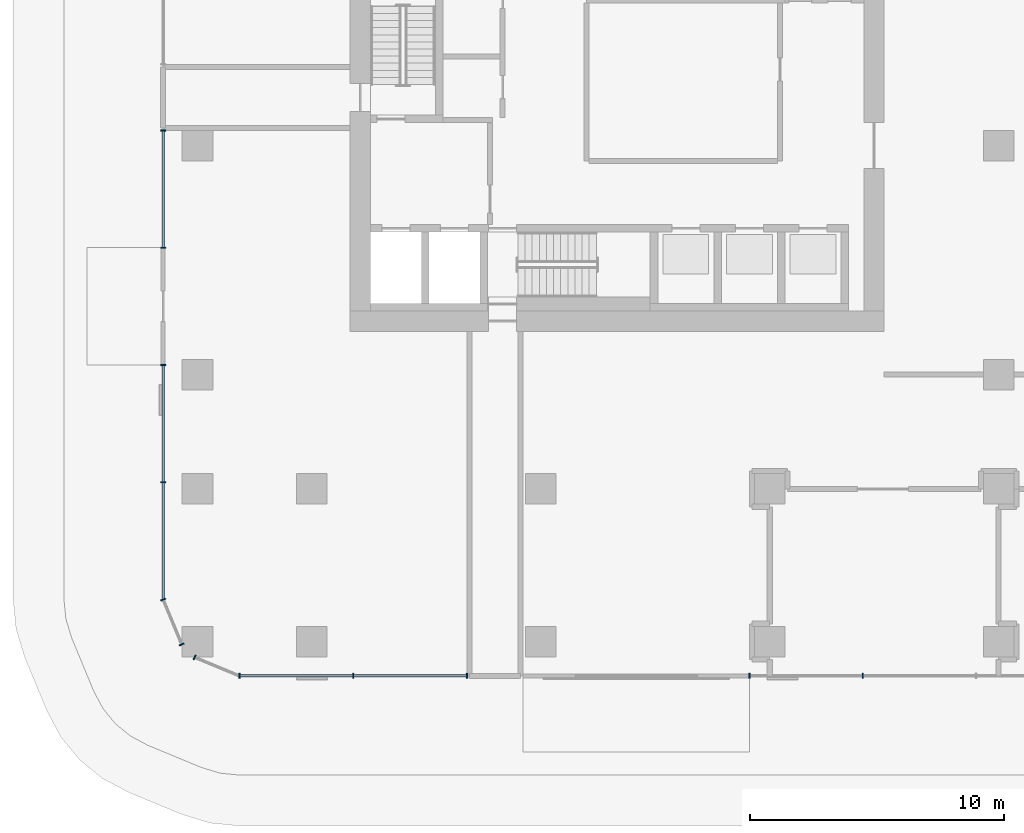
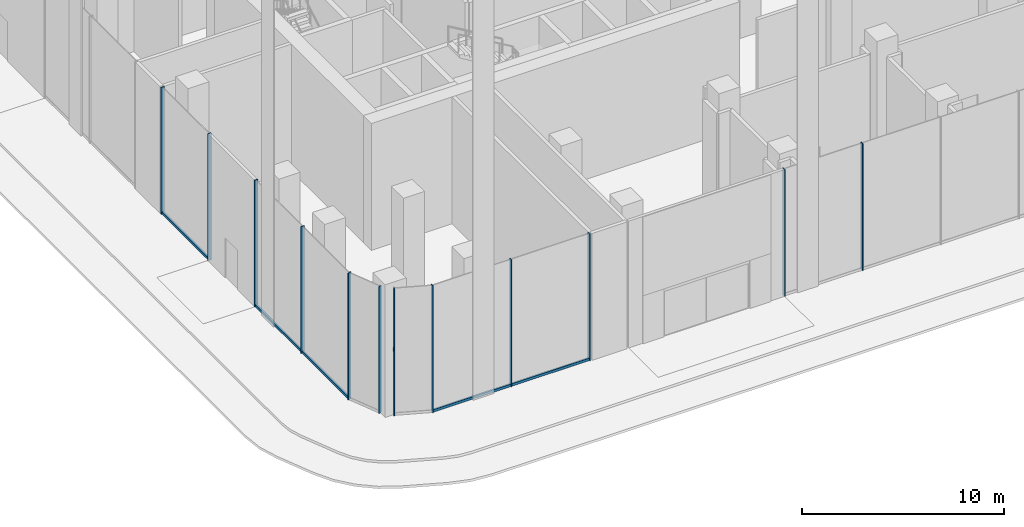
# One storey, part 2 of 42: 15 members, 6 elements without a shape of their own.
"""IFC4 building model written with IfcOpenShell, lengths in metres."""

from ifc_helpers import new_model, si_unit, direction, frame, origin, origin_2d, place, context, subcontext, project, spatial, rectangle, extrude, material, layer, layer_set, material_profile, profile_set, type_object, element, aggregate, save


model = new_model("IFC4")

# Units and contexts
model_context = context("Model", 3, precision=1e-05, world=origin(), true_north=direction((0.0, 1.0)))
body_context = subcontext(model_context, "Body", "Model", "MODEL_VIEW")
ifc_project = project(units=[si_unit("LENGTHUNIT", "METRE"), si_unit("AREAUNIT", "SQUARE_METRE"), si_unit("VOLUMEUNIT", "CUBIC_METRE"), si_unit("PLANEANGLEUNIT", "RADIAN"), si_unit("MASSUNIT", "GRAM", prefix="KILO")], contexts=[model_context])

# Site, building, storey
site_placement = place(None, origin())
site = spatial("IfcSite", under=ifc_project, at=site_placement, CompositionType="ELEMENT")
building_placement = place(site_placement, origin())
building = spatial("IfcBuilding", under=site, at=building_placement, Name="Plateau Cross Towers", CompositionType="ELEMENT")
storey_placement = place(building_placement, origin())
storey = spatial("IfcBuildingStorey", under=building, at=storey_placement, Name="L00", CompositionType="ELEMENT", Elevation=0.0)

# Curtain wall, members
ifc_material_1 = material(Name="Dark low-iron laminated glass", Category="glass")
ifc_layer = layer(ifc_material_1, 0.300048828125)
ifc_layer_set = layer_set([ifc_layer], Name="Dark low-iron laminated glass")
curtain_wall_type = type_object("IfcCurtainWallType", Name="Curtain wall structural silicone CW-C", PredefinedType="NOTDEFINED", material=ifc_layer_set)
curtain_wall_1_placement = place(storey_placement, origin())
curtain_wall_1 = element("IfcCurtainWall", 1, at=curtain_wall_1_placement, inside=storey, type_object=curtain_wall_type, Name="ENV/P/L00/P-28_-118", PredefinedType="NOTDEFINED")
ifc_material_2 = material(Name="Black anodised aluminium", Category="aluminium")
ifc_material_profile_1 = material_profile(ifc_material_2, rectangle(XDim=0.050048828125, YDim=0.199951171875, at=origin_2d()), Name="MULLION 50x200")
ifc_profile_set_1 = profile_set([ifc_material_profile_1], Name="Black anodised aluminium")
member_type_1 = type_object("IfcMemberType", Name="Mullion 50x200 structural silicone", PredefinedType="MULLION", material=ifc_profile_set_1)
member_1_placement = place(storey_placement, frame((-2.85009765625, -11.85009765625, 0.0), z_axis=(0.0, 0.0, 1.0), x_axis=(1.0, 0.0, 0.0)))
member_1 = element("IfcMember", 2, at=member_1_placement, type_object=member_type_1, Name="CW-C mullion 1", PredefinedType="MULLION", context=body_context, shape_type="SweptSolid", body=[
    extrude(rectangle(XDim=0.050048828125, YDim=0.199951171875, at=origin_2d()), origin(), (0.0, 0.0, 1.0), 7.64990234375),
])
member_2_placement = place(storey_placement, frame((1.625, -11.85009765625, 0.0), z_axis=(0.0, 0.0, 1.0), x_axis=(1.0, 0.0, 0.0)))
member_2 = element("IfcMember", 3, at=member_2_placement, type_object=member_type_1, Name="CW-C mullion 2", PredefinedType="MULLION", context=body_context, shape_type="SweptSolid", body=[
    extrude(rectangle(XDim=0.050048828125, YDim=0.199951171875, at=origin_2d()), origin(), (0.0, 0.0, 1.0), 7.64990234375),
])
member_3_placement = place(storey_placement, frame((6.10009765625, -11.85009765625, 0.0), z_axis=(0.0, 0.0, 1.0), x_axis=(1.0, 0.0, 0.0)))
member_3 = element("IfcMember", 4, at=member_3_placement, type_object=member_type_1, Name="CW-C mullion 3", PredefinedType="MULLION", context=body_context, shape_type="SweptSolid", body=[
    extrude(rectangle(XDim=0.050048828125, YDim=0.199951171875, at=origin_2d()), origin(), (0.0, 0.0, 1.0), 7.64990234375),
])

curtain_wall_2_placement = place(storey_placement, origin())
curtain_wall_2 = element("IfcCurtainWall", 5, at=curtain_wall_2_placement, inside=storey, type_object=curtain_wall_type, Name="ENV/P/L00/P172_-118", PredefinedType="NOTDEFINED")
member_4_placement = place(storey_placement, frame((17.206787109375, -11.85009765625, 0.0), z_axis=(0.0, 0.0, 1.0), x_axis=(1.0, 0.0, 0.0)))
member_4 = element("IfcMember", 6, at=member_4_placement, type_object=member_type_1, Name="CW-C mullion 1", PredefinedType="MULLION", context=body_context, shape_type="SweptSolid", body=[
    extrude(rectangle(XDim=0.050048828125, YDim=0.199951171875, at=origin_2d()), origin(), (0.0, 0.0, 1.0), 7.64990234375),
])
member_5_placement = place(storey_placement, frame((21.659912109375, -11.85009765625, 0.0), z_axis=(0.0, 0.0, 1.0), x_axis=(1.0, 0.0, 0.0)))
member_5 = element("IfcMember", 7, at=member_5_placement, type_object=member_type_1, Name="CW-C mullion 2", PredefinedType="MULLION", context=body_context, shape_type="SweptSolid", body=[
    extrude(rectangle(XDim=0.050048828125, YDim=0.199951171875, at=origin_2d()), origin(), (0.0, 0.0, 1.0), 7.64990234375),
])
aggregate(curtain_wall_2, [member_4, member_5])

curtain_wall_3_placement = place(storey_placement, origin())
curtain_wall_3 = element("IfcCurtainWall", 8, at=curtain_wall_3_placement, inside=storey, type_object=curtain_wall_type, Name="ENV/P/L00/P-58_96", PredefinedType="NOTDEFINED")
member_6_placement = place(storey_placement, frame((-5.85009765625, 9.60009765625, 0.0), z_axis=(0.0, 0.0, 1.0), x_axis=(0.0, -1.0, 0.0)))
member_6 = element("IfcMember", 9, at=member_6_placement, type_object=member_type_1, Name="CW-C mullion 1", PredefinedType="MULLION", context=body_context, shape_type="SweptSolid", body=[
    extrude(rectangle(XDim=0.050048828125, YDim=0.199951171875, at=origin_2d()), origin(), (0.0, 0.0, 1.0), 7.64990234375),
])
member_7_placement = place(storey_placement, frame((-5.85009765625, 4.987548828125, 0.0), z_axis=(0.0, 0.0, 1.0), x_axis=(0.0, -1.0, 0.0)))
member_7 = element("IfcMember", 10, at=member_7_placement, type_object=member_type_1, Name="CW-C mullion 2", PredefinedType="MULLION", context=body_context, shape_type="SweptSolid", body=[
    extrude(rectangle(XDim=0.050048828125, YDim=0.199951171875, at=origin_2d()), origin(), (0.0, 0.0, 1.0), 7.64990234375),
])

curtain_wall_4_placement = place(storey_placement, origin())
curtain_wall_4 = element("IfcCurtainWall", 11, at=curtain_wall_4_placement, inside=storey, type_object=curtain_wall_type, Name="ENV/P/L00/P-58_4", PredefinedType="NOTDEFINED")
member_8_placement = place(storey_placement, frame((-5.85009765625, 0.375, 0.0), z_axis=(0.0, 0.0, 1.0), x_axis=(0.0, -1.0, 0.0)))
member_8 = element("IfcMember", 12, at=member_8_placement, type_object=member_type_1, Name="CW-C mullion 1", PredefinedType="MULLION", context=body_context, shape_type="SweptSolid", body=[
    extrude(rectangle(XDim=0.050048828125, YDim=0.199951171875, at=origin_2d()), origin(), (0.0, 0.0, 1.0), 7.64990234375),
])
member_9_placement = place(storey_placement, frame((-5.85009765625, -4.237548828125, 0.0), z_axis=(0.0, 0.0, 1.0), x_axis=(0.0, -1.0, 0.0)))
member_9 = element("IfcMember", 13, at=member_9_placement, type_object=member_type_1, Name="CW-C mullion 2", PredefinedType="MULLION", context=body_context, shape_type="SweptSolid", body=[
    extrude(rectangle(XDim=0.050048828125, YDim=0.199951171875, at=origin_2d()), origin(), (0.0, 0.0, 1.0), 7.64990234375),
])

curtain_wall_5_placement = place(storey_placement, origin())
curtain_wall_5 = element("IfcCurtainWall", 14, at=curtain_wall_5_placement, inside=storey, type_object=curtain_wall_type, Name="ENV/P/L00/P-58_-88", PredefinedType="NOTDEFINED")
member_10_placement = place(storey_placement, frame((-5.85009765625, -8.85009765625, 0.0), z_axis=(0.0, 0.0, 1.0), x_axis=(0.382683612978, -0.923879457699, 0.0)))
member_10 = element("IfcMember", 15, at=member_10_placement, type_object=member_type_1, Name="CW-C mullion 1", PredefinedType="MULLION", context=body_context, shape_type="SweptSolid", body=[
    extrude(rectangle(XDim=0.050048828125, YDim=0.199951171875, at=origin_2d()), origin(), (0.0, 0.0, 1.0), 7.64990234375),
])
member_11_placement = place(storey_placement, frame((-5.1201171875, -10.6123046875, 0.0), z_axis=(0.0, 0.0, 1.0), x_axis=(0.382683612978, -0.923879457699, 0.0)))
member_11 = element("IfcMember", 16, at=member_11_placement, type_object=member_type_1, Name="CW-C mullion 2", PredefinedType="MULLION", context=body_context, shape_type="SweptSolid", body=[
    extrude(rectangle(XDim=0.050048828125, YDim=0.199951171875, at=origin_2d()), origin(), (0.0, 0.0, 1.0), 7.64990234375),
])
aggregate(curtain_wall_5, [member_10, member_11])

# Curtain wall, member
curtain_wall_6_placement = place(storey_placement, origin())
curtain_wall_6 = element("IfcCurtainWall", 17, at=curtain_wall_6_placement, inside=storey, type_object=curtain_wall_type, Name="ENV/P/L00/P-46_-111", PredefinedType="NOTDEFINED")
member_12_placement = place(storey_placement, frame((-4.6123046875, -11.1201171875, 0.0), z_axis=(0.0, 0.0, 1.0), x_axis=(0.923879457699, -0.382683612978, 0.0)))
member_12 = element("IfcMember", 18, at=member_12_placement, type_object=member_type_1, Name="CW-C mullion 1", PredefinedType="MULLION", context=body_context, shape_type="SweptSolid", body=[
    extrude(rectangle(XDim=0.050048828125, YDim=0.199951171875, at=origin_2d()), origin(), (0.0, 0.0, 1.0), 7.64990234375),
])
aggregate(curtain_wall_6, [member_12])

# Member
ifc_material_profile_2 = material_profile(ifc_material_2, rectangle(XDim=0.10009765625, YDim=0.14990234375, at=origin_2d()), Name="TRANSOM 100x150")
ifc_profile_set_2 = profile_set([ifc_material_profile_2], Name="Black anodised aluminium")
member_type_2 = type_object("IfcMemberType", Name="Transom 100x150 structural silicone", PredefinedType="USERDEFINED", material=ifc_profile_set_2)
member_13_placement = place(storey_placement, frame((-2.85009765625, -11.85009765625, 0.074951171875), z_axis=(1.0, 0.0, 0.0), x_axis=(0.0, 1.0, 0.0)))
member_13 = element("IfcMember", 19, at=member_13_placement, type_object=member_type_2, Name="CW-C transom", ObjectType="TRANSOM", PredefinedType="USERDEFINED", context=body_context, shape_type="SweptSolid", body=[
    extrude(rectangle(XDim=0.10009765625, YDim=0.14990234375, at=origin_2d()), origin(), (0.0, 0.0, 1.0), 8.9501953125),
])

aggregate(curtain_wall_1, [member_1, member_2, member_3, member_13])

member_14_placement = place(storey_placement, frame((-5.85009765625, 9.60009765625, 0.074951171875), z_axis=(0.0, -1.0, 0.0), x_axis=(1.0, 0.0, 0.0)))
member_14 = element("IfcMember", 20, at=member_14_placement, type_object=member_type_2, Name="CW-C transom", ObjectType="TRANSOM", PredefinedType="USERDEFINED", context=body_context, shape_type="SweptSolid", body=[
    extrude(rectangle(XDim=0.10009765625, YDim=0.14990234375, at=origin_2d()), origin(), (0.0, 0.0, 1.0), 4.612548828125),
])

aggregate(curtain_wall_3, [member_6, member_7, member_14])

member_15_placement = place(storey_placement, frame((-5.85009765625, 0.375, 0.074951171875), z_axis=(0.0, -1.0, 0.0), x_axis=(1.0, 0.0, 0.0)))
member_15 = element("IfcMember", 21, at=member_15_placement, type_object=member_type_2, Name="CW-C transom", ObjectType="TRANSOM", PredefinedType="USERDEFINED", context=body_context, shape_type="SweptSolid", body=[
    extrude(rectangle(XDim=0.10009765625, YDim=0.14990234375, at=origin_2d()), origin(), (0.0, 0.0, 1.0), 9.22509765625),
])

aggregate(curtain_wall_4, [member_8, member_9, member_15])

save(model, "model.ifc")
